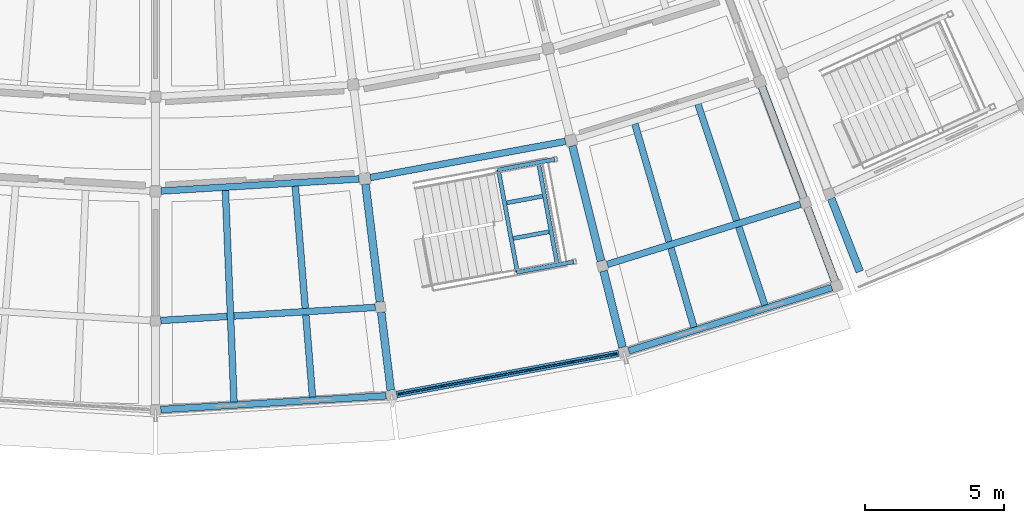
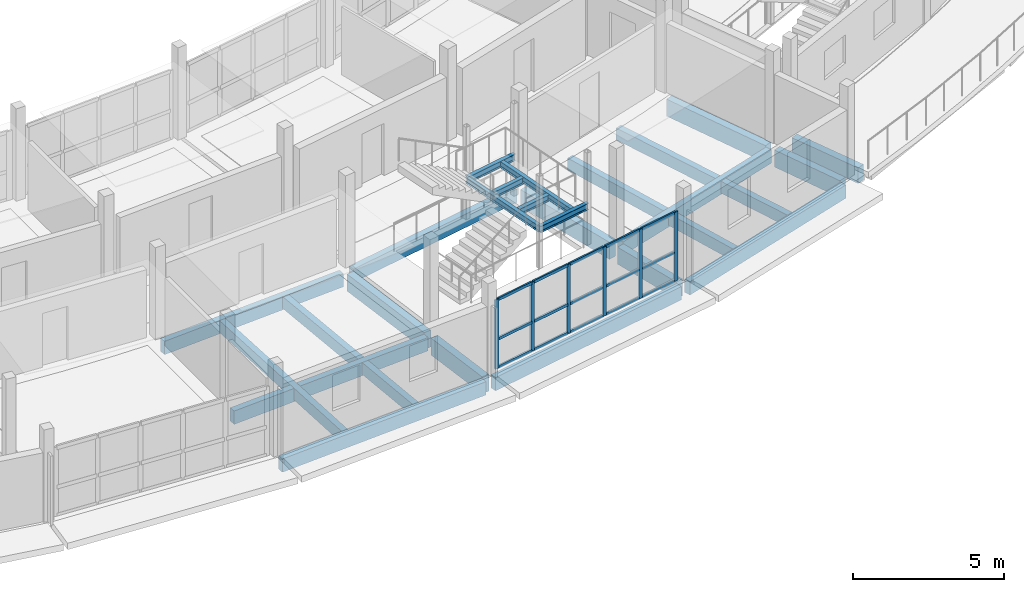
# One storey, part 15 of 36: 24 beams, 21 members, 1 element without a shape of its own.
"""IFC4 building model written with IfcOpenShell, lengths in metres."""

from ifc_helpers import new_model, si_unit, direction, frame, origin, origin_2d, place, context, subcontext, project, spatial, rectangle, i_section, extrude, material, layer, layer_set, material_profile, profile_set, type_object, element, aggregate, save


model = new_model("IFC4")

# Units and contexts
model_context = context("Model", 3, precision=1e-05, world=origin(), true_north=direction((0.0, 1.0)))
body_context = subcontext(model_context, "Body", "Model", "MODEL_VIEW")
ifc_project = project(units=[si_unit("LENGTHUNIT", "METRE"), si_unit("AREAUNIT", "SQUARE_METRE"), si_unit("VOLUMEUNIT", "CUBIC_METRE"), si_unit("PLANEANGLEUNIT", "RADIAN"), si_unit("MASSUNIT", "GRAM", prefix="KILO")], contexts=[model_context])

# Site, building, storey
site_placement = place(None, origin())
site = spatial("IfcSite", under=ifc_project, at=site_placement, CompositionType="ELEMENT")
building_placement = place(site_placement, origin())
building = spatial("IfcBuilding", under=site, at=building_placement, Name="Caldaven Crescent School", CompositionType="ELEMENT")
storey_placement = place(building_placement, frame((0.0, 0.0, 11.89990234375)))
storey = spatial("IfcBuildingStorey", under=building, at=storey_placement, Name="L03", CompositionType="ELEMENT", Elevation=11.89990234375)

# Beams
ifc_material_1 = material(Name="Glulam MLE24h (GL28h)", Category="wood")
ifc_material_profile_1 = material_profile(ifc_material_1, rectangle(XDim=0.239990234375, YDim=0.5400390625, at=origin_2d()), Name="MLE 240x540")
ifc_profile_set_1 = profile_set([ifc_material_profile_1], Name="Glulam MLE24h (GL28h)")
beam_type_1 = type_object("IfcBeamType", Name="BM-GL54", PredefinedType="BEAM", material=ifc_profile_set_1)
beam_1_placement = place(storey_placement, frame((88.20458984375, 34.3125, -0.52001953125), z_axis=(0.998135297493, 0.061040379248, 0.0), x_axis=(-0.061040379248, 0.998135297493, 0.0)))
element("IfcBeam", 1, at=beam_1_placement, inside=storey, type_object=beam_type_1, Name="BMT-V5-L03-1445", PredefinedType="BEAM", context=body_context, shape_type="SweptSolid", body=[
    extrude(rectangle(XDim=0.239990234375, YDim=0.5400390625, at=origin_2d()), origin(), (0.0, 0.0, 1.0), 7.123291015625),
])
beam_2_placement = place(storey_placement, frame((88.189697265625, 29.66162109375, -0.52001953125), z_axis=(0.998134259729, 0.061057346455, 0.0), x_axis=(-0.061057346455, 0.998134259729, 0.0)))
element("IfcBeam", 2, at=beam_2_placement, inside=storey, type_object=beam_type_1, Name="BMT-V5-L03-1446", PredefinedType="BEAM", context=body_context, shape_type="SweptSolid", body=[
    extrude(rectangle(XDim=0.239990234375, YDim=0.5400390625, at=origin_2d()), origin(), (0.0, 0.0, 1.0), 7.72119140625),
])
beam_3_placement = place(storey_placement, frame((95.720947265625, 34.79736328125, -0.52001953125), z_axis=(0.983256085787, 0.182229168257, 0.0), x_axis=(-0.182229168257, 0.983256085787, 0.0)))
element("IfcBeam", 3, at=beam_3_placement, inside=storey, type_object=beam_type_1, Name="BMT-V5-L03-1454", PredefinedType="BEAM", context=body_context, shape_type="SweptSolid", body=[
    extrude(rectangle(XDim=0.239990234375, YDim=0.5400390625, at=origin_2d()), origin(), (0.0, 0.0, 1.0), 7.12353515625),
])
beam_4_placement = place(storey_placement, frame((104.23291015625, 31.677490234375, -0.52001953125), z_axis=(0.954751649919, 0.297404248417, 0.0), x_axis=(-0.297404248417, 0.954751649919, 0.0)))
element("IfcBeam", 4, at=beam_4_placement, inside=storey, type_object=beam_type_1, Name="BMT-V5-L03-1461", PredefinedType="BEAM", context=body_context, shape_type="SweptSolid", body=[
    extrude(rectangle(XDim=0.239990234375, YDim=0.5400390625, at=origin_2d()), origin(), (0.0, 0.0, 1.0), 7.264892578125),
])
ifc_material_profile_2 = material_profile(ifc_material_1, rectangle(XDim=0.280029296875, YDim=0.6298828125, at=origin_2d()), Name="MLE 280x630")
ifc_profile_set_2 = profile_set([ifc_material_profile_2], Name="Glulam MLE24h (GL28h)")
beam_type_2 = type_object("IfcBeamType", Name="BM-GL63", PredefinedType="BEAM", material=ifc_profile_set_2)
beam_5_placement = place(storey_placement, frame((112.27294921875, 34.045166015625, -0.56494140625), z_axis=(0.364813864007, -0.931080471618, 0.0), x_axis=(0.931080471618, 0.364813864007, 0.0)))
element("IfcBeam", 5, at=beam_5_placement, inside=storey, type_object=beam_type_2, Name="BMR-V4E-L03-1470", PredefinedType="BEAM", context=body_context, shape_type="SweptSolid", body=[
    extrude(rectangle(XDim=0.280029296875, YDim=0.6298828125, at=origin_2d()), origin(), (0.0, 0.0, 1.0), 2.820068359375),
])
ifc_material_profile_3 = material_profile(ifc_material_1, rectangle(XDim=0.280029296875, YDim=0.68994140625, at=origin_2d()), Name="MLE 280x690")
ifc_profile_set_3 = profile_set([ifc_material_profile_3], Name="Glulam MLE24h (GL28h)")
beam_type_3 = type_object("IfcBeamType", Name="BM-GL69", PredefinedType="BEAM", material=ifc_profile_set_3)
beam_6_placement = place(storey_placement, frame((95.54443359375, 34.556396484375, -0.594970703125), z_axis=(0.121873450968, -0.992545647287, 0.0), x_axis=(0.992545647287, 0.121873450968, 0.0)))
element("IfcBeam", 6, at=beam_6_placement, inside=storey, type_object=beam_type_3, Name="BMR-V5-L03-1410", PredefinedType="BEAM", context=body_context, shape_type="SweptSolid", body=[
    extrude(rectangle(XDim=0.280029296875, YDim=0.68994140625, at=origin_2d()), origin(), (0.0, 0.0, 1.0), 4.2548828125),
])
beam_7_placement = place(storey_placement, frame((96.109130859375, 29.9560546875, -0.594970703125), z_axis=(0.121892797759, -0.992543271527, 0.0), x_axis=(0.992543271527, 0.121892797759, 0.0)))
element("IfcBeam", 7, at=beam_7_placement, inside=storey, type_object=beam_type_3, Name="BMR-V5-L03-1411", PredefinedType="BEAM", context=body_context, shape_type="SweptSolid", body=[
    extrude(rectangle(XDim=0.280029296875, YDim=0.68994140625, at=origin_2d()), origin(), (0.0, 0.0, 1.0), 2.820068359375),
])
beam_8_placement = place(storey_placement, frame((102.97607421875, 35.933837890625, -0.594970703125), z_axis=(0.24195507035, -0.970287454279, 0.0), x_axis=(0.970287454279, 0.24195507035, 0.0)))
element("IfcBeam", 8, at=beam_8_placement, inside=storey, type_object=beam_type_3, Name="BMR-V5-L03-1414", PredefinedType="BEAM", context=body_context, shape_type="SweptSolid", body=[
    extrude(rectangle(XDim=0.280029296875, YDim=0.68994140625, at=origin_2d()), origin(), (0.0, 0.0, 1.0), 4.255126953125),
])
beam_9_placement = place(storey_placement, frame((104.097412109375, 31.4365234375, -0.594970703125), z_axis=(0.241965234679, -0.970284919602, 0.0), x_axis=(0.970284919602, 0.241965234679, 0.0)))
element("IfcBeam", 9, at=beam_9_placement, inside=storey, type_object=beam_type_3, Name="BMR-V5-L03-1415", PredefinedType="BEAM", context=body_context, shape_type="SweptSolid", body=[
    extrude(rectangle(XDim=0.280029296875, YDim=0.68994140625, at=origin_2d()), origin(), (0.0, 0.0, 1.0), 2.820068359375),
])
beam_10_placement = place(storey_placement, frame((109.786376953125, 38.055419921875, -0.594970703125), z_axis=(0.351890440491, -0.936041194548, 0.0), x_axis=(0.936041194548, 0.351890440491, 0.0)))
element("IfcBeam", 10, at=beam_10_placement, inside=storey, type_object=beam_type_3, Name="BMR-V5-L03-1418", PredefinedType="BEAM", context=body_context, shape_type="SweptSolid", body=[
    extrude(rectangle(XDim=0.280029296875, YDim=0.68994140625, at=origin_2d()), origin(), (0.0, 0.0, 1.0), 4.255126953125),
])
beam_11_placement = place(storey_placement, frame((111.41748046875, 33.716796875, -0.594970703125), z_axis=(0.351920262681, -0.936029982807, 0.0), x_axis=(0.936029982807, 0.351920262681, 0.0)))
element("IfcBeam", 11, at=beam_11_placement, inside=storey, type_object=beam_type_3, Name="BMR-V5-L03-1419", PredefinedType="BEAM", context=body_context, shape_type="SweptSolid", body=[
    extrude(rectangle(XDim=0.280029296875, YDim=0.68994140625, at=origin_2d()), origin(), (0.0, 0.0, 1.0), 2.820068359375),
])
ifc_material_2 = material(Name="Steel ASTM A572 Grade 50", Category="steel")
ifc_material_profile_4 = material_profile(ifc_material_2, i_section(OverallWidth=0.14599609375, OverallDepth=0.258056640625, WebThickness=0.006103515625, FlangeThickness=0.009033203125, FilletRadius=0.011962890625, at=origin_2d()), Name="W250x33")
ifc_profile_set_4 = profile_set([ifc_material_profile_4], Name="Steel ASTM A572 Grade 50")
beam_type_4 = type_object("IfcBeamType", Name="BM-W25", PredefinedType="BEAM", material=ifc_profile_set_4)
for number, where, z_axis, x_axis, name in (
    (12, (100.97119140625, 31.391845703125, 1.546142578125), (0.983254881215, 0.18223566766, 0.0), (-0.18223566766, 0.983254881215, 0.0), "BM-STSIDE-ST3-L03-SL"),
    (13, (100.28955078125, 35.0693359375, 1.546142578125), (0.983254881215, 0.18223566766, 0.0), (-0.18223566766, 0.983254881215, 0.0), "BM-STSIDE-ST3-L03-SR"),
):
    element("IfcBeam", number, at=place(storey_placement, frame(where, z_axis=z_axis, x_axis=x_axis)), inside=storey, type_object=beam_type_4, Name=name, PredefinedType="BEAM", context=body_context, shape_type="SweptSolid", body=[
        extrude(i_section(OverallWidth=0.14599609375, OverallDepth=0.258056640625, WebThickness=0.006103515625, FlangeThickness=0.009033203125, FilletRadius=0.011962890625, at=origin_2d()), origin(), (0.0, 0.0, 1.0), 2.08984375),
    ])
for number, where, z_axis, x_axis, name in (
    (14, (101.00048828125, 31.3974609375, 1.546142578125), (-0.182199128441, 0.983261652662, 0.0), (-0.983261652662, -0.182199128441, 0.0), "BM-STLND-ST3-L03-IN"),
    (15, (102.43603515625, 31.66357421875, 1.546142578125), (-0.182199128441, 0.983261652662, 0.0), (-0.983261652662, -0.182199128441, 0.0), "BM-STLND-ST3-L03-OUT"),
):
    element("IfcBeam", number, at=place(storey_placement, frame(where, z_axis=z_axis, x_axis=x_axis)), inside=storey, type_object=beam_type_4, Name=name, PredefinedType="BEAM", context=body_context, shape_type="SweptSolid", body=[
        extrude(i_section(OverallWidth=0.14599609375, OverallDepth=0.258056640625, WebThickness=0.006103515625, FlangeThickness=0.009033203125, FilletRadius=0.011962890625, at=origin_2d()), origin(), (0.0, 0.0, 1.0), 3.73974609375),
    ])

# Curtain wall, members
ifc_material_3 = material(Name="Anodised aluminium AA 6063-T6 and low-E double glazing", Category="aluminium")
ifc_layer = layer(ifc_material_3, 0.169921875)
ifc_layer_set = layer_set([ifc_layer], Name="Anodised aluminium AA 6063-T6 and low-E double glazing")
curtain_wall_type = type_object("IfcCurtainWallType", Name="CW-SYS1", PredefinedType="NOTDEFINED", material=ifc_layer_set)
curtain_wall_placement = place(storey_placement, origin())
curtain_wall = element("IfcCurtainWall", 16, at=curtain_wall_placement, inside=storey, type_object=curtain_wall_type, Name="CW-L03-162", PredefinedType="NOTDEFINED")
ifc_material_4 = material(Name="Anodised aluminium AA 6063-T6", Category="aluminium")
ifc_material_profile_5 = material_profile(ifc_material_4, rectangle(XDim=0.06005859375, YDim=0.14990234375, at=origin_2d()), Name="CWM 60x150")
ifc_profile_set_5 = profile_set([ifc_material_profile_5], Name="Anodised aluminium AA 6063-T6")
member_type_1 = type_object("IfcMemberType", Name="CWM-T1", PredefinedType="MULLION", material=ifc_profile_set_5)
member_1_placement = place(storey_placement, frame((96.800537109375, 27.028564453125, 0.0), z_axis=(0.0, 0.0, 1.0), x_axis=(-0.182234865564, 0.983255029874, 0.0)))
member_1 = element("IfcMember", 17, at=member_1_placement, type_object=member_type_1, Name="CW1 mullion 1", PredefinedType="MULLION", context=body_context, shape_type="SweptSolid", body=[
    extrude(rectangle(XDim=0.06005859375, YDim=0.14990234375, at=origin_2d()), origin(), (0.0, 0.0, 1.0), 2.800048828125),
])
member_2_placement = place(storey_placement, frame((98.322998046875, 27.310791015625, 0.0), z_axis=(0.0, 0.0, 1.0), x_axis=(-0.182234865564, 0.983255029874, 0.0)))
member_2 = element("IfcMember", 18, at=member_2_placement, type_object=member_type_1, Name="CW1 mullion 2", PredefinedType="MULLION", context=body_context, shape_type="SweptSolid", body=[
    extrude(rectangle(XDim=0.06005859375, YDim=0.14990234375, at=origin_2d()), origin(), (0.0, 0.0, 1.0), 2.800048828125),
])
member_3_placement = place(storey_placement, frame((99.874755859375, 27.598388671875, 0.0), z_axis=(0.0, 0.0, 1.0), x_axis=(-0.182234865564, 0.983255029874, 0.0)))
member_3 = element("IfcMember", 19, at=member_3_placement, type_object=member_type_1, Name="CW1 mullion 3", PredefinedType="MULLION", context=body_context, shape_type="SweptSolid", body=[
    extrude(rectangle(XDim=0.06005859375, YDim=0.14990234375, at=origin_2d()), origin(), (0.0, 0.0, 1.0), 2.800048828125),
])
member_4_placement = place(storey_placement, frame((101.4267578125, 27.885986328125, 0.0), z_axis=(0.0, 0.0, 1.0), x_axis=(-0.182234865564, 0.983255029874, 0.0)))
member_4 = element("IfcMember", 20, at=member_4_placement, type_object=member_type_1, Name="CW1 mullion 4", PredefinedType="MULLION", context=body_context, shape_type="SweptSolid", body=[
    extrude(rectangle(XDim=0.06005859375, YDim=0.14990234375, at=origin_2d()), origin(), (0.0, 0.0, 1.0), 2.800048828125),
])
member_5_placement = place(storey_placement, frame((102.978759765625, 28.173583984375, 0.0), z_axis=(0.0, 0.0, 1.0), x_axis=(-0.182234865564, 0.983255029874, 0.0)))
member_5 = element("IfcMember", 21, at=member_5_placement, type_object=member_type_1, Name="CW1 mullion 5", PredefinedType="MULLION", context=body_context, shape_type="SweptSolid", body=[
    extrude(rectangle(XDim=0.06005859375, YDim=0.14990234375, at=origin_2d()), origin(), (0.0, 0.0, 1.0), 2.800048828125),
])
member_6_placement = place(storey_placement, frame((104.501220703125, 28.455810546875, 0.0), z_axis=(0.0, 0.0, 1.0), x_axis=(-0.182234865564, 0.983255029874, 0.0)))
member_6 = element("IfcMember", 22, at=member_6_placement, type_object=member_type_1, Name="CW1 mullion 6", PredefinedType="MULLION", context=body_context, shape_type="SweptSolid", body=[
    extrude(rectangle(XDim=0.06005859375, YDim=0.14990234375, at=origin_2d()), origin(), (0.0, 0.0, 1.0), 2.800048828125),
])
ifc_material_profile_6 = material_profile(ifc_material_4, rectangle(XDim=0.06005859375, YDim=0.1201171875, at=origin_2d()), Name="CWT 60x120")
ifc_profile_set_6 = profile_set([ifc_material_profile_6], Name="Anodised aluminium AA 6063-T6")
member_type_2 = type_object("IfcMemberType", Name="CWT-T1", PredefinedType="USERDEFINED", material=ifc_profile_set_6)
member_7_placement = place(storey_placement, frame((96.830078125, 27.033935546875, 0.030029296875), z_axis=(0.98325262173, 0.182247858315, 0.0), x_axis=(-0.182247858315, 0.98325262173, 0.0)))
member_7 = element("IfcMember", 23, at=member_7_placement, type_object=member_type_2, Name="CW1 transom 1.1", ObjectType="TRANSOM", PredefinedType="USERDEFINED", context=body_context, shape_type="SweptSolid", body=[
    extrude(rectangle(XDim=0.06005859375, YDim=0.1201171875, at=origin_2d()), origin(), (0.0, 0.0, 1.0), 1.48828125),
])
member_8_placement = place(storey_placement, frame((96.830078125, 27.033935546875, 1.176025390625), z_axis=(0.98325262173, 0.182247858315, 0.0), x_axis=(-0.182247858315, 0.98325262173, 0.0)))
member_8 = element("IfcMember", 24, at=member_8_placement, type_object=member_type_2, Name="CW1 transom 1.2", ObjectType="TRANSOM", PredefinedType="USERDEFINED", context=body_context, shape_type="SweptSolid", body=[
    extrude(rectangle(XDim=0.06005859375, YDim=0.1201171875, at=origin_2d()), origin(), (0.0, 0.0, 1.0), 1.48828125),
])
member_9_placement = place(storey_placement, frame((96.830078125, 27.033935546875, 2.77001953125), z_axis=(0.98325262173, 0.182247858315, 0.0), x_axis=(-0.182247858315, 0.98325262173, 0.0)))
member_9 = element("IfcMember", 25, at=member_9_placement, type_object=member_type_2, Name="CW1 transom 1.3", ObjectType="TRANSOM", PredefinedType="USERDEFINED", context=body_context, shape_type="SweptSolid", body=[
    extrude(rectangle(XDim=0.06005859375, YDim=0.1201171875, at=origin_2d()), origin(), (0.0, 0.0, 1.0), 1.48828125),
])
member_10_placement = place(storey_placement, frame((98.3525390625, 27.316162109375, 0.030029296875), z_axis=(0.98326494013, 0.182181386291, 0.0), x_axis=(-0.182181386291, 0.98326494013, 0.0)))
member_10 = element("IfcMember", 26, at=member_10_placement, type_object=member_type_2, Name="CW1 transom 2.1", ObjectType="TRANSOM", PredefinedType="USERDEFINED", context=body_context, shape_type="SweptSolid", body=[
    extrude(rectangle(XDim=0.06005859375, YDim=0.1201171875, at=origin_2d()), origin(), (0.0, 0.0, 1.0), 1.518310546875),
])
member_11_placement = place(storey_placement, frame((98.3525390625, 27.316162109375, 1.176025390625), z_axis=(0.98326494013, 0.182181386291, 0.0), x_axis=(-0.182181386291, 0.98326494013, 0.0)))
member_11 = element("IfcMember", 27, at=member_11_placement, type_object=member_type_2, Name="CW1 transom 2.2", ObjectType="TRANSOM", PredefinedType="USERDEFINED", context=body_context, shape_type="SweptSolid", body=[
    extrude(rectangle(XDim=0.06005859375, YDim=0.1201171875, at=origin_2d()), origin(), (0.0, 0.0, 1.0), 1.518310546875),
])
member_12_placement = place(storey_placement, frame((98.3525390625, 27.316162109375, 2.77001953125), z_axis=(0.98326494013, 0.182181386291, 0.0), x_axis=(-0.182181386291, 0.98326494013, 0.0)))
member_12 = element("IfcMember", 28, at=member_12_placement, type_object=member_type_2, Name="CW1 transom 2.3", ObjectType="TRANSOM", PredefinedType="USERDEFINED", context=body_context, shape_type="SweptSolid", body=[
    extrude(rectangle(XDim=0.06005859375, YDim=0.1201171875, at=origin_2d()), origin(), (0.0, 0.0, 1.0), 1.518310546875),
])
member_13_placement = place(storey_placement, frame((99.904296875, 27.603759765625, 0.030029296875), z_axis=(0.983236124961, 0.182336838218, 0.0), x_axis=(-0.182336838218, 0.983236124961, 0.0)))
member_13 = element("IfcMember", 29, at=member_13_placement, type_object=member_type_2, Name="CW1 transom 3.1", ObjectType="TRANSOM", PredefinedType="USERDEFINED", context=body_context, shape_type="SweptSolid", body=[
    extrude(rectangle(XDim=0.06005859375, YDim=0.1201171875, at=origin_2d()), origin(), (0.0, 0.0, 1.0), 1.518310546875),
])
member_14_placement = place(storey_placement, frame((99.904296875, 27.603759765625, 1.176025390625), z_axis=(0.983236124961, 0.182336838218, 0.0), x_axis=(-0.182336838218, 0.983236124961, 0.0)))
member_14 = element("IfcMember", 30, at=member_14_placement, type_object=member_type_2, Name="CW1 transom 3.2", ObjectType="TRANSOM", PredefinedType="USERDEFINED", context=body_context, shape_type="SweptSolid", body=[
    extrude(rectangle(XDim=0.06005859375, YDim=0.1201171875, at=origin_2d()), origin(), (0.0, 0.0, 1.0), 1.518310546875),
])
member_15_placement = place(storey_placement, frame((99.904296875, 27.603759765625, 2.77001953125), z_axis=(0.983236124961, 0.182336838218, 0.0), x_axis=(-0.182336838218, 0.983236124961, 0.0)))
member_15 = element("IfcMember", 31, at=member_15_placement, type_object=member_type_2, Name="CW1 transom 3.3", ObjectType="TRANSOM", PredefinedType="USERDEFINED", context=body_context, shape_type="SweptSolid", body=[
    extrude(rectangle(XDim=0.06005859375, YDim=0.1201171875, at=origin_2d()), origin(), (0.0, 0.0, 1.0), 1.518310546875),
])
member_16_placement = place(storey_placement, frame((101.456298828125, 27.891357421875, 0.030029296875), z_axis=(0.983236124961, 0.182336838218, 0.0), x_axis=(-0.182336838218, 0.983236124961, 0.0)))
member_16 = element("IfcMember", 32, at=member_16_placement, type_object=member_type_2, Name="CW1 transom 4.1", ObjectType="TRANSOM", PredefinedType="USERDEFINED", context=body_context, shape_type="SweptSolid", body=[
    extrude(rectangle(XDim=0.06005859375, YDim=0.1201171875, at=origin_2d()), origin(), (0.0, 0.0, 1.0), 1.518310546875),
])
member_17_placement = place(storey_placement, frame((101.456298828125, 27.891357421875, 1.176025390625), z_axis=(0.983236124961, 0.182336838218, 0.0), x_axis=(-0.182336838218, 0.983236124961, 0.0)))
member_17 = element("IfcMember", 33, at=member_17_placement, type_object=member_type_2, Name="CW1 transom 4.2", ObjectType="TRANSOM", PredefinedType="USERDEFINED", context=body_context, shape_type="SweptSolid", body=[
    extrude(rectangle(XDim=0.06005859375, YDim=0.1201171875, at=origin_2d()), origin(), (0.0, 0.0, 1.0), 1.518310546875),
])
member_18_placement = place(storey_placement, frame((101.456298828125, 27.891357421875, 2.77001953125), z_axis=(0.983236124961, 0.182336838218, 0.0), x_axis=(-0.182336838218, 0.983236124961, 0.0)))
member_18 = element("IfcMember", 34, at=member_18_placement, type_object=member_type_2, Name="CW1 transom 4.3", ObjectType="TRANSOM", PredefinedType="USERDEFINED", context=body_context, shape_type="SweptSolid", body=[
    extrude(rectangle(XDim=0.06005859375, YDim=0.1201171875, at=origin_2d()), origin(), (0.0, 0.0, 1.0), 1.518310546875),
])
member_19_placement = place(storey_placement, frame((103.00830078125, 28.17919921875, 0.030029296875), z_axis=(0.98325262173, 0.182247858315, 0.0), x_axis=(-0.182247858315, 0.98325262173, 0.0)))
member_19 = element("IfcMember", 35, at=member_19_placement, type_object=member_type_2, Name="CW1 transom 5.1", ObjectType="TRANSOM", PredefinedType="USERDEFINED", context=body_context, shape_type="SweptSolid", body=[
    extrude(rectangle(XDim=0.06005859375, YDim=0.1201171875, at=origin_2d()), origin(), (0.0, 0.0, 1.0), 1.48828125),
])
member_20_placement = place(storey_placement, frame((103.00830078125, 28.17919921875, 1.176025390625), z_axis=(0.98325262173, 0.182247858315, 0.0), x_axis=(-0.182247858315, 0.98325262173, 0.0)))
member_20 = element("IfcMember", 36, at=member_20_placement, type_object=member_type_2, Name="CW1 transom 5.2", ObjectType="TRANSOM", PredefinedType="USERDEFINED", context=body_context, shape_type="SweptSolid", body=[
    extrude(rectangle(XDim=0.06005859375, YDim=0.1201171875, at=origin_2d()), origin(), (0.0, 0.0, 1.0), 1.48828125),
])
member_21_placement = place(storey_placement, frame((103.00830078125, 28.17919921875, 2.77001953125), z_axis=(0.98325262173, 0.182247858315, 0.0), x_axis=(-0.182247858315, 0.98325262173, 0.0)))
member_21 = element("IfcMember", 37, at=member_21_placement, type_object=member_type_2, Name="CW1 transom 5.3", ObjectType="TRANSOM", PredefinedType="USERDEFINED", context=body_context, shape_type="SweptSolid", body=[
    extrude(rectangle(XDim=0.06005859375, YDim=0.1201171875, at=origin_2d()), origin(), (0.0, 0.0, 1.0), 1.48828125),
])
aggregate(curtain_wall, [member_1, member_2, member_3, member_4, member_5, member_6, member_7, member_8, member_9, member_10, member_11, member_12, member_13, member_14, member_15, member_16, member_17, member_18, member_19, member_20, member_21])

# Beams
ifc_material_profile_7 = material_profile(ifc_material_1, rectangle(XDim=0.239990234375, YDim=0.47998046875, at=origin_2d()), Name="MLE 240x480")
ifc_profile_set_7 = profile_set([ifc_material_profile_7], Name="Glulam MLE24h (GL28h)")
beam_type_5 = type_object("IfcBeamType", Name="JS-GL48", PredefinedType="JOIST", material=ifc_profile_set_7)
for number, where, z_axis, x_axis, name in (
    (38, (90.51123046875, 34.33837890625, -0.489990234375), (0.040664012435, -0.99917287698, 0.0), (0.99917287698, 0.040664012435, 0.0), "JSR-V5-L03-1449"),
    (39, (93.022216796875, 34.491943359375, -0.489990234375), (0.081390637837, -0.996682278398, 0.0), (0.996682278398, 0.081390637837, 0.0), "JSR-V5-L03-1451"),
):
    element("IfcBeam", number, at=place(storey_placement, frame(where, z_axis=z_axis, x_axis=x_axis)), inside=storey, type_object=beam_type_5, Name=name, PredefinedType="JOIST", context=body_context, shape_type="SweptSolid", body=[
        extrude(rectangle(XDim=0.239990234375, YDim=0.47998046875, at=origin_2d()), origin(), (0.0, 0.0, 1.0), 7.60693359375),
    ])
for number, where, z_axis, x_axis, name in (
    (40, (105.22119140625, 36.72705078125, -0.489990234375), (0.279011621042, -0.96028772528, 0.0), (0.96028772528, 0.279011621042, 0.0), "JSR-V5-L03-1464"),
    (41, (107.488037109375, 37.433349609375, -0.489990234375), (0.315717515133, -0.948853229239, 0.0), (0.948853229239, 0.315717515133, 0.0), "JSR-V5-L03-1466"),
):
    element("IfcBeam", number, at=place(storey_placement, frame(where, z_axis=z_axis, x_axis=x_axis)), inside=storey, type_object=beam_type_5, Name=name, PredefinedType="JOIST", context=body_context, shape_type="SweptSolid", body=[
        extrude(rectangle(XDim=0.239990234375, YDim=0.47998046875, at=origin_2d()), origin(), (0.0, 0.0, 1.0), 7.6083984375),
    ])
ifc_material_profile_8 = material_profile(ifc_material_2, i_section(OverallWidth=0.14599609375, OverallDepth=0.258056640625, WebThickness=0.006103515625, FlangeThickness=0.009033203125, FilletRadius=0.011962890625, at=origin_2d()), Name="W250x33")
ifc_profile_set_8 = profile_set([ifc_material_profile_8], Name="Steel ASTM A572 Grade 50")
beam_type_6 = type_object("IfcBeamType", Name="LN-W25", PredefinedType="LINTEL", material=ifc_profile_set_8)
beam_12_placement = place(storey_placement, frame((100.85693359375, 32.611572265625, 1.546142578125), z_axis=(0.983269549753, 0.182156505588, 0.0), x_axis=(-0.182156505588, 0.983269549753, 0.0)))
element("IfcBeam", 42, at=beam_12_placement, inside=storey, type_object=beam_type_6, Name="BM-STJST-ST3-L03-JL", PredefinedType="LINTEL", context=body_context, shape_type="SweptSolid", body=[
    extrude(i_section(OverallWidth=0.14599609375, OverallDepth=0.258056640625, WebThickness=0.006103515625, FlangeThickness=0.009033203125, FilletRadius=0.011962890625, at=origin_2d()), origin(), (0.0, 0.0, 1.0), 1.300048828125),
])
beam_13_placement = place(storey_placement, frame((100.6201171875, 33.8896484375, 1.546142578125), z_axis=(0.983229654228, 0.182371727651, 0.0), x_axis=(-0.182371727651, 0.983229654228, 0.0)))
element("IfcBeam", 43, at=beam_13_placement, inside=storey, type_object=beam_type_6, Name="BM-STJST-ST3-L03-JR", PredefinedType="LINTEL", context=body_context, shape_type="SweptSolid", body=[
    extrude(i_section(OverallWidth=0.14599609375, OverallDepth=0.258056640625, WebThickness=0.006103515625, FlangeThickness=0.009033203125, FilletRadius=0.011962890625, at=origin_2d()), origin(), (0.0, 0.0, 1.0), 1.2998046875),
])
ifc_material_profile_9 = material_profile(ifc_material_1, rectangle(XDim=0.239990234375, YDim=0.5400390625, at=origin_2d()), Name="MLE 240x540")
ifc_profile_set_9 = profile_set([ifc_material_profile_9], Name="Glulam MLE24h (GL28h)")
beam_type_7 = type_object("IfcBeamType", Name="SP-GL54", PredefinedType="SPANDREL", material=ifc_profile_set_9)
for number, where, z_axis, x_axis, name in (
    (44, (88.189697265625, 26.461669921875, -0.52001953125), (0.998135526675, 0.061036631531, 0.0), (-0.061036631531, 0.998135526675, 0.0), "BMT-V5-L03-1447"),
    (45, (96.662841796875, 27.0029296875, -0.52001953125), (0.983255051002, 0.182234751571, 0.0), (-0.182234751571, 0.983255051002, 0.0), "BMT-V5-L03-1455"),
):
    element("IfcBeam", number, at=place(storey_placement, frame(where, z_axis=z_axis, x_axis=x_axis)), inside=storey, type_object=beam_type_7, Name=name, PredefinedType="SPANDREL", context=body_context, shape_type="SweptSolid", body=[
        extrude(rectangle(XDim=0.239990234375, YDim=0.5400390625, at=origin_2d()), origin(), (0.0, 0.0, 1.0), 8.11181640625),
    ])
beam_14_placement = place(storey_placement, frame((105.007080078125, 28.572509765625, -0.52001953125), z_axis=(0.954744218179, 0.297428105352, 0.0), x_axis=(-0.297428105352, 0.954744218179, 0.0)))
element("IfcBeam", 46, at=beam_14_placement, inside=storey, type_object=beam_type_7, Name="BMT-V5-L03-1462", PredefinedType="SPANDREL", context=body_context, shape_type="SweptSolid", body=[
    extrude(rectangle(XDim=0.239990234375, YDim=0.5400390625, at=origin_2d()), origin(), (0.0, 0.0, 1.0), 7.6337890625),
])

save(model, "model.ifc")
